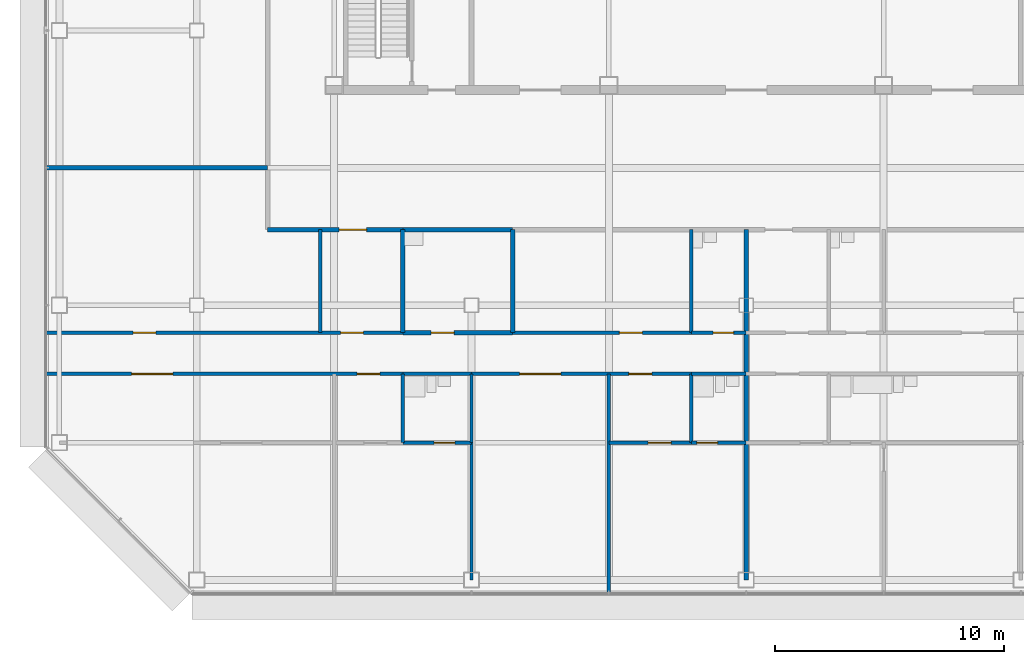
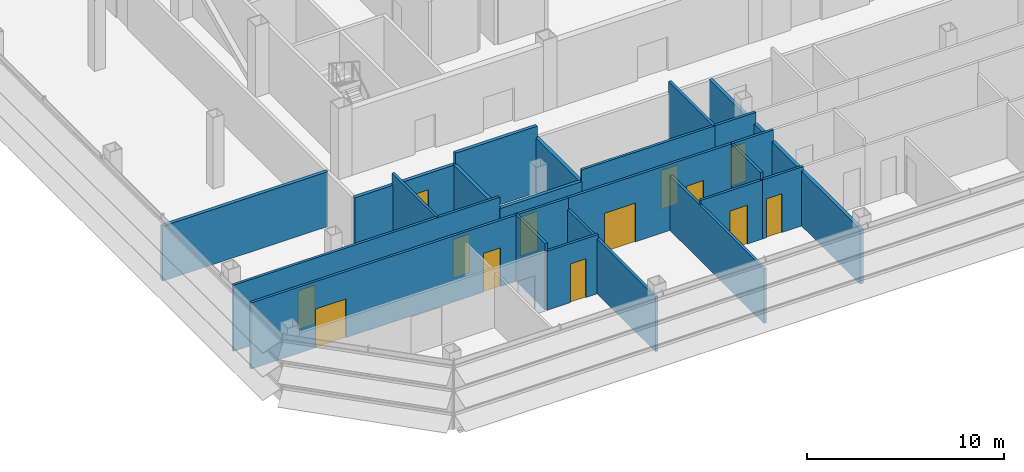
# One storey, part 19 of 26: 24 walls, 13 doors, 13 openings.
"""IFC4 building model written with IfcOpenShell, lengths in metres."""

from ifc_helpers import new_model, si_unit, direction, frame, frame_2d, origin, place, context, subcontext, project, spatial, rectangle, extrude, material, layer, layer_set, type_object, element, fill, save


model = new_model("IFC4")

# Units and contexts
model_context = context("Model", 3, precision=1e-05, world=origin(), true_north=direction((0.0, 1.0)))
body_context = subcontext(model_context, "Body", "Model", "MODEL_VIEW")
ifc_project = project(units=[si_unit("LENGTHUNIT", "METRE"), si_unit("AREAUNIT", "SQUARE_METRE"), si_unit("VOLUMEUNIT", "CUBIC_METRE"), si_unit("PLANEANGLEUNIT", "RADIAN"), si_unit("MASSUNIT", "GRAM", prefix="KILO")], contexts=[model_context])

# Site, building, storey
site_placement = place(None, origin())
site = spatial("IfcSite", under=ifc_project, at=site_placement, CompositionType="ELEMENT")
building_placement = place(site_placement, origin())
building = spatial("IfcBuilding", under=site, at=building_placement, Name="Sorahane Residences", CompositionType="ELEMENT")
storey_placement = place(building_placement, frame((0.0, 0.0, 181.60009765625)))
storey = spatial("IfcBuildingStorey", under=building, at=storey_placement, Name="L42", CompositionType="ELEMENT", Elevation=181.60009765625)

# Wall, opening, door
ifc_material_1 = material(Name="Concrete blockwork C20 wall", Category="masonry")
ifc_layer_1 = layer(ifc_material_1, 0.199951171875)
ifc_layer_set_1 = layer_set([ifc_layer_1], Name="Corridor wall 200 EI 120")
wall_type_1 = type_object("IfcWallType", Name="Corridor wall 200 EI 120", PredefinedType="SOLIDWALL", material=ifc_layer_set_1)
wall_1_placement = place(storey_placement, frame((3.10009765625, 15.300048828125, 0.0), z_axis=(0.0, 0.0, 1.0), x_axis=(1.0, 0.0, 0.0)))
wall_1 = element("IfcWall", 1, at=wall_1_placement, inside=storey, type_object=wall_type_1, Name="L42 corridor wall", PredefinedType="SOLIDWALL", context=body_context, shape_type="SweptSolid", body=[
    extrude(rectangle(XDim=5.89990234375, YDim=0.199951171875, at=frame_2d((2.949951171875, 0.0))), origin(), (0.0, 0.0, 1.0), 3.39990234375),
])
opening_1_placement = place(wall_1_placement, frame((3.1201171875, 0.0, 0.0)))
opening_1 = element("IfcOpeningElement", 2, at=opening_1_placement, cuts=wall_1, Name="Opening L42-28", PredefinedType="OPENING", context=body_context, shape_type="SweptSolid", body=[
    extrude(rectangle(XDim=1.199951171875, YDim=2.39990234375, at=frame_2d((0.60009765625, 1.199951171875))), frame((0.0, 0.10986328125, 0.0), z_axis=(0.0, -1.0, 0.0), x_axis=(1.0, 0.0, 0.0)), (0.0, 0.0, 1.0), 0.219970703125),
])
ifc_material_2 = material(Name="Timber veneered fire door", Category="wood")
door_type_1 = type_object("IfcDoorType", Name="Flat entrance door 1200x2400 FD60", OperationType="NOTDEFINED", PredefinedType="DOOR", material=ifc_material_2)
door_1_placement = place(opening_1_placement, frame((1.199951171875, 0.0, 0.0), z_axis=(0.0, 0.0, 1.0), x_axis=(-1.0, 0.0, 0.0)))
door_1 = element("IfcDoor", 3, at=door_1_placement, inside=storey, type_object=door_type_1, Name="Flat entrance door L42-28", OperationType="SINGLE_SWING_LEFT", OverallHeight=2.39990234375, OverallWidth=1.199951171875, PredefinedType="DOOR", context=body_context, shape_type="SweptSolid", body=[
    extrude(rectangle(XDim=1.199951171875, YDim=2.39990234375, at=frame_2d((0.60009765625, 1.199951171875))), frame((0.0, 0.02490234375, 0.0), z_axis=(0.0, -1.0, 0.0), x_axis=(1.0, 0.0, 0.0)), (0.0, 0.0, 1.0), 0.050048828125),
])
fill(opening_1, door_1)

# Walls
wall_2_placement = place(storey_placement, frame((-6.60009765625, 18.0, 0.0), z_axis=(0.0, 0.0, 1.0), x_axis=(1.0, 0.0, 0.0)))
element("IfcWall", 4, at=wall_2_placement, inside=storey, type_object=wall_type_1, Name="L42 corridor wall", PredefinedType="SOLIDWALL", context=body_context, shape_type="SweptSolid", body=[
    extrude(rectangle(XDim=9.7001953125, YDim=0.199951171875, at=frame_2d((4.85009765625, 0.0))), origin(), (0.0, 0.0, 1.0), 3.39990234375),
])
ifc_material_3 = material(Name="Concrete blockwork C20 wall", Category="masonry")
ifc_layer_2 = layer(ifc_material_3, 0.199951171875)
ifc_layer_set_2 = layer_set([ifc_layer_2], Name="Kitchen wall 200 EI 180")
wall_type_2 = type_object("IfcWallType", Name="Kitchen wall 200 EI 180", PredefinedType="SOLIDWALL", material=ifc_layer_set_2)
for number, where, z_axis, x_axis, name in (
    (5, (13.800048828125, 10.800048828125, 0.0), (0.0, 0.0, 1.0), (0.0, 1.0, 0.0), "L42 kitchen wall"),
    (6, (9.0, 10.800048828125, 0.0), (0.0, 0.0, 1.0), (0.0, 1.0, 0.0), "L42 kitchen wall"),
):
    element("IfcWall", number, at=place(storey_placement, frame(where, z_axis=z_axis, x_axis=x_axis)), inside=storey, type_object=wall_type_2, Name=name, PredefinedType="SOLIDWALL", context=body_context, shape_type="SweptSolid", body=[
        extrude(rectangle(XDim=4.5, YDim=0.199951171875, at=frame_2d((2.25, 0.0))), origin(), (0.0, 0.0, 1.0), 3.39990234375),
    ])

# Wall, opening, door
wall_3_placement = place(storey_placement, frame((9.0, 10.800048828125, 0.0), z_axis=(0.0, 0.0, 1.0), x_axis=(1.0, 0.0, 0.0)))
wall_3 = element("IfcWall", 7, at=wall_3_placement, inside=storey, type_object=wall_type_2, Name="L42 kitchen wall", PredefinedType="SOLIDWALL", context=body_context, shape_type="SweptSolid", body=[
    extrude(rectangle(XDim=4.800048828125, YDim=0.199951171875, at=frame_2d((2.39990234375, 0.0))), origin(), (0.0, 0.0, 1.0), 3.39990234375),
])
opening_2_placement = place(wall_3_placement, frame((1.239990234375, 0.0, 0.0)))
opening_2 = element("IfcOpeningElement", 8, at=opening_2_placement, cuts=wall_3, Name="Opening L42-03", PredefinedType="OPENING", context=body_context, shape_type="SweptSolid", body=[
    extrude(rectangle(XDim=1.0, YDim=2.39990234375, at=frame_2d((0.5, 1.199951171875))), frame((0.0, 0.10986328125, 0.0), z_axis=(0.0, -1.0, 0.0), x_axis=(1.0, 0.0, 0.0)), (0.0, 0.0, 1.0), 0.219970703125),
])
ifc_material_4 = material(Name="Steel", Category="steel")
door_type_2 = type_object("IfcDoorType", Name="Kitchen door 1000x2400 FD120", OperationType="NOTDEFINED", PredefinedType="DOOR", material=ifc_material_4)
door_2_placement = place(opening_2_placement, origin())
door_2 = element("IfcDoor", 9, at=door_2_placement, inside=storey, type_object=door_type_2, Name="Kitchen door L42-03", OperationType="SINGLE_SWING_RIGHT", OverallHeight=2.39990234375, OverallWidth=1.0, PredefinedType="DOOR", context=body_context, shape_type="SweptSolid", body=[
    extrude(rectangle(XDim=1.0, YDim=2.39990234375, at=frame_2d((0.5, 1.199951171875))), frame((0.0, 0.02490234375, 0.0), z_axis=(0.0, -1.0, 0.0), x_axis=(1.0, 0.0, 0.0)), (0.0, 0.0, 1.0), 0.050048828125),
])
fill(opening_2, door_2)

# Walls
wall_4_placement = place(storey_placement, frame((9.0, 15.300048828125, 0.0), z_axis=(0.0, 0.0, 1.0), x_axis=(1.0, 0.0, 0.0)))
element("IfcWall", 10, at=wall_4_placement, inside=storey, type_object=wall_type_2, Name="L42 kitchen wall", PredefinedType="SOLIDWALL", context=body_context, shape_type="SweptSolid", body=[
    extrude(rectangle(XDim=4.800048828125, YDim=0.199951171875, at=frame_2d((2.39990234375, 0.0))), origin(), (0.0, 0.0, 1.0), 4.099853515625),
])
ifc_material_5 = material(Name="Gypsum board partition on steel studs", Category="steel")
ifc_layer_3 = layer(ifc_material_5, 0.14990234375)
ifc_layer_set_3 = layer_set([ifc_layer_3], Name="Partition 150 EI 90")
wall_type_3 = type_object("IfcWallType", Name="Partition 150 EI 90", PredefinedType="PARTITIONING", material=ifc_layer_set_3)
wall_5_placement = place(storey_placement, frame((12.0, 0.0, 0.0), z_axis=(0.0, 0.0, 1.0), x_axis=(0.0, 1.0, 0.0)))
element("IfcWall", 11, at=wall_5_placement, inside=storey, type_object=wall_type_3, Name="L42 partition", PredefinedType="PARTITIONING", context=body_context, shape_type="SweptSolid", body=[
    extrude(rectangle(XDim=6.0, YDim=0.14990234375, at=frame_2d((3.0, 0.0))), origin(), (0.0, 0.0, 1.0), 3.39990234375),
])
wall_6_placement = place(storey_placement, frame((18.0, -0.60009765625, 0.0), z_axis=(0.0, 0.0, 1.0), x_axis=(0.0, 1.0, 0.0)))
element("IfcWall", 12, at=wall_6_placement, inside=storey, type_object=wall_type_3, Name="L42 partition", PredefinedType="PARTITIONING", context=body_context, shape_type="SweptSolid", body=[
    extrude(rectangle(XDim=9.60009765625, YDim=0.14990234375, at=frame_2d((4.800048828125, 0.0))), origin(), (0.0, 0.0, 1.0), 3.39990234375),
])
wall_7_placement = place(storey_placement, frame((5.39990234375, 10.800048828125, 0.0), z_axis=(0.0, 0.0, 1.0), x_axis=(0.0, 1.0, 0.0)))
element("IfcWall", 13, at=wall_7_placement, inside=storey, type_object=wall_type_3, Name="L42 partition", PredefinedType="PARTITIONING", context=body_context, shape_type="SweptSolid", body=[
    extrude(rectangle(XDim=4.5, YDim=0.14990234375, at=frame_2d((2.25, 0.0))), origin(), (0.0, 0.0, 1.0), 4.099853515625),
])

# Wall, openings, doors
wall_8_placement = place(storey_placement, frame((-6.60009765625, 10.800048828125, 0.0), z_axis=(0.0, 0.0, 1.0), x_axis=(1.0, 0.0, 0.0)))
wall_8 = element("IfcWall", 14, at=wall_8_placement, inside=storey, type_object=wall_type_3, Name="L42 partition", PredefinedType="PARTITIONING", context=body_context, shape_type="SweptSolid", body=[
    extrude(rectangle(XDim=15.60009765625, YDim=0.14990234375, at=frame_2d((7.800048828125, 0.0))), origin(), (0.0, 0.0, 1.0), 4.099853515625),
])
opening_3_placement = place(wall_8_placement, frame((12.8798828125, 0.0, 0.0)))
opening_3 = element("IfcOpeningElement", 15, at=opening_3_placement, cuts=wall_8, Name="Opening L42-01", PredefinedType="OPENING", context=body_context, shape_type="SweptSolid", body=[
    extrude(rectangle(XDim=1.0, YDim=2.39990234375, at=frame_2d((0.5, 1.199951171875))), frame((0.0, 0.0849609375, 0.0), z_axis=(0.0, -1.0, 0.0), x_axis=(1.0, 0.0, 0.0)), (0.0, 0.0, 1.0), 0.169921875),
])
opening_4_placement = place(wall_8_placement, frame((3.820068359375, 0.0, 0.0)))
opening_4 = element("IfcOpeningElement", 16, at=opening_4_placement, cuts=wall_8, Name="Opening L42-02", PredefinedType="OPENING", context=body_context, shape_type="SweptSolid", body=[
    extrude(rectangle(XDim=1.0, YDim=2.39990234375, at=frame_2d((0.5, 1.199951171875))), frame((0.0, 0.0849609375, 0.0), z_axis=(0.0, -1.0, 0.0), x_axis=(1.0, 0.0, 0.0)), (0.0, 0.0, 1.0), 0.169921875),
])
ifc_material_6 = material(Name="Timber veneered fire door", Category="wood")
door_type_3 = type_object("IfcDoorType", Name="Room door 1000x2400 FD30", OperationType="NOTDEFINED", PredefinedType="DOOR", material=ifc_material_6)
door_3_placement = place(opening_3_placement, frame((1.0, 0.0, 0.0), z_axis=(0.0, 0.0, 1.0), x_axis=(-1.0, 0.0, 0.0)))
door_3 = element("IfcDoor", 17, at=door_3_placement, inside=storey, type_object=door_type_3, Name="Room door L42-01", OperationType="SINGLE_SWING_LEFT", OverallHeight=2.39990234375, OverallWidth=1.0, PredefinedType="DOOR", context=body_context, shape_type="SweptSolid", body=[
    extrude(rectangle(XDim=1.0, YDim=2.39990234375, at=frame_2d((0.5, 1.199951171875))), frame((0.0, 0.02490234375, 0.0), z_axis=(0.0, -1.0, 0.0), x_axis=(1.0, 0.0, 0.0)), (0.0, 0.0, 1.0), 0.050048828125),
])
fill(opening_3, door_3)
door_4_placement = place(opening_4_placement, origin())
door_4 = element("IfcDoor", 18, at=door_4_placement, inside=storey, type_object=door_type_3, Name="Room door L42-02", OperationType="SINGLE_SWING_LEFT", OverallHeight=2.39990234375, OverallWidth=1.0, PredefinedType="DOOR", context=body_context, shape_type="SweptSolid", body=[
    extrude(rectangle(XDim=1.0, YDim=2.39990234375, at=frame_2d((0.5, 1.199951171875))), frame((0.0, 0.02490234375, 0.0), z_axis=(0.0, -1.0, 0.0), x_axis=(1.0, 0.0, 0.0)), (0.0, 0.0, 1.0), 0.050048828125),
])
fill(opening_4, door_4)

# Wall, opening, door
wall_9_placement = place(storey_placement, frame((13.800048828125, 10.800048828125, 0.0), z_axis=(0.0, 0.0, 1.0), x_axis=(1.0, 0.0, 0.0)))
wall_9 = element("IfcWall", 19, at=wall_9_placement, inside=storey, type_object=wall_type_3, Name="L42 partition", PredefinedType="PARTITIONING", context=body_context, shape_type="SweptSolid", body=[
    extrude(rectangle(XDim=7.800048828125, YDim=0.14990234375, at=frame_2d((3.89990234375, 0.0))), origin(), (0.0, 0.0, 1.0), 4.099853515625),
])
opening_5_placement = place(wall_9_placement, frame((4.659912109375, 0.0, 0.0)))
opening_5 = element("IfcOpeningElement", 20, at=opening_5_placement, cuts=wall_9, Name="Opening L42-04", PredefinedType="OPENING", context=body_context, shape_type="SweptSolid", body=[
    extrude(rectangle(XDim=1.0, YDim=2.39990234375, at=frame_2d((0.5, 1.199951171875))), frame((0.0, 0.0849609375, 0.0), z_axis=(0.0, -1.0, 0.0), x_axis=(1.0, 0.0, 0.0)), (0.0, 0.0, 1.0), 0.169921875),
])
door_5_placement = place(opening_5_placement, origin())
door_5 = element("IfcDoor", 21, at=door_5_placement, inside=storey, type_object=door_type_3, Name="Room door L42-04", OperationType="SINGLE_SWING_RIGHT", OverallHeight=2.39990234375, OverallWidth=1.0, PredefinedType="DOOR", context=body_context, shape_type="SweptSolid", body=[
    extrude(rectangle(XDim=1.0, YDim=2.39990234375, at=frame_2d((0.5, 1.199951171875))), frame((0.0, 0.02490234375, 0.0), z_axis=(0.0, -1.0, 0.0), x_axis=(1.0, 0.0, 0.0)), (0.0, 0.0, 1.0), 0.050048828125),
])
fill(opening_5, door_5)

wall_10_placement = place(storey_placement, frame((18.0, 6.0, 0.0), z_axis=(0.0, 0.0, 1.0), x_axis=(1.0, 0.0, 0.0)))
wall_10 = element("IfcWall", 22, at=wall_10_placement, inside=storey, type_object=wall_type_3, Name="L42 partition", PredefinedType="PARTITIONING", context=body_context, shape_type="SweptSolid", body=[
    extrude(rectangle(XDim=3.60009765625, YDim=0.14990234375, at=frame_2d((1.800048828125, 0.0))), origin(), (0.0, 0.0, 1.0), 3.64990234375),
])
opening_6_placement = place(wall_10_placement, frame((1.719970703125, 0.0, 0.0)))
opening_6 = element("IfcOpeningElement", 23, at=opening_6_placement, cuts=wall_10, Name="Opening L42-13", PredefinedType="OPENING", context=body_context, shape_type="SweptSolid", body=[
    extrude(rectangle(XDim=1.0, YDim=2.39990234375, at=frame_2d((0.5, 1.199951171875))), frame((0.0, 0.0849609375, 0.0), z_axis=(0.0, -1.0, 0.0), x_axis=(1.0, 0.0, 0.0)), (0.0, 0.0, 1.0), 0.169921875),
])
door_6_placement = place(opening_6_placement, frame((1.0, 0.0, 0.0), z_axis=(0.0, 0.0, 1.0), x_axis=(-1.0, 0.0, 0.0)))
door_6 = element("IfcDoor", 24, at=door_6_placement, inside=storey, type_object=door_type_3, Name="Room door L42-13", OperationType="SINGLE_SWING_LEFT", OverallHeight=2.39990234375, OverallWidth=1.0, PredefinedType="DOOR", context=body_context, shape_type="SweptSolid", body=[
    extrude(rectangle(XDim=1.0, YDim=2.39990234375, at=frame_2d((0.5, 1.199951171875))), frame((0.0, 0.02490234375, 0.0), z_axis=(0.0, -1.0, 0.0), x_axis=(1.0, 0.0, 0.0)), (0.0, 0.0, 1.0), 0.050048828125),
])
fill(opening_6, door_6)

# Wall, openings, doors
wall_11_placement = place(storey_placement, frame((-6.60009765625, 9.0, 0.0), z_axis=(0.0, 0.0, 1.0), x_axis=(1.0, 0.0, 0.0)))
wall_11 = element("IfcWall", 25, at=wall_11_placement, inside=storey, type_object=wall_type_3, Name="L42 partition", PredefinedType="PARTITIONING", context=body_context, shape_type="SweptSolid", body=[
    extrude(rectangle(XDim=15.60009765625, YDim=0.14990234375, at=frame_2d((7.800048828125, 0.0))), origin(), (0.0, 0.0, 1.0), 4.099853515625),
])
opening_7_placement = place(wall_11_placement, frame((3.760009765625, 0.0, 0.0)))
opening_7 = element("IfcOpeningElement", 26, at=opening_7_placement, cuts=wall_11, Name="Opening L42-06", PredefinedType="OPENING", context=body_context, shape_type="SweptSolid", body=[
    extrude(rectangle(XDim=1.800048828125, YDim=2.39990234375, at=frame_2d((0.89990234375, 1.199951171875))), frame((0.0, 0.0849609375, 0.0), z_axis=(0.0, -1.0, 0.0), x_axis=(1.0, 0.0, 0.0)), (0.0, 0.0, 1.0), 0.169921875),
])
opening_8_placement = place(wall_11_placement, frame((13.60009765625, 0.0, 0.0)))
opening_8 = element("IfcOpeningElement", 27, at=opening_8_placement, cuts=wall_11, Name="Opening L42-07", PredefinedType="OPENING", context=body_context, shape_type="SweptSolid", body=[
    extrude(rectangle(XDim=1.0, YDim=2.39990234375, at=frame_2d((0.5, 1.199951171875))), frame((0.0, 0.0849609375, 0.0), z_axis=(0.0, -1.0, 0.0), x_axis=(1.0, 0.0, 0.0)), (0.0, 0.0, 1.0), 0.169921875),
])
ifc_material_7 = material(Name="Timber veneered fire door", Category="wood")
door_type_4 = type_object("IfcDoorType", Name="Double door 1800x2400 FD30", OperationType="NOTDEFINED", PredefinedType="DOOR", material=ifc_material_7)
door_7_placement = place(opening_7_placement, frame((1.800048828125, 0.0, 0.0), z_axis=(0.0, 0.0, 1.0), x_axis=(-1.0, 0.0, 0.0)))
door_7 = element("IfcDoor", 28, at=door_7_placement, inside=storey, type_object=door_type_4, Name="Double door L42-06", OperationType="SINGLE_SWING_RIGHT", OverallHeight=2.39990234375, OverallWidth=1.800048828125, PredefinedType="DOOR", context=body_context, shape_type="SweptSolid", body=[
    extrude(rectangle(XDim=1.800048828125, YDim=2.39990234375, at=frame_2d((0.89990234375, 1.199951171875))), frame((0.0, 0.02490234375, 0.0), z_axis=(0.0, -1.0, 0.0), x_axis=(1.0, 0.0, 0.0)), (0.0, 0.0, 1.0), 0.050048828125),
])
fill(opening_7, door_7)
door_8_placement = place(opening_8_placement, frame((1.0, 0.0, 0.0), z_axis=(0.0, 0.0, 1.0), x_axis=(-1.0, 0.0, 0.0)))
door_8 = element("IfcDoor", 29, at=door_8_placement, inside=storey, type_object=door_type_3, Name="Room door L42-07", OperationType="SINGLE_SWING_LEFT", OverallHeight=2.39990234375, OverallWidth=1.0, PredefinedType="DOOR", context=body_context, shape_type="SweptSolid", body=[
    extrude(rectangle(XDim=1.0, YDim=2.39990234375, at=frame_2d((0.5, 1.199951171875))), frame((0.0, 0.02490234375, 0.0), z_axis=(0.0, -1.0, 0.0), x_axis=(1.0, 0.0, 0.0)), (0.0, 0.0, 1.0), 0.050048828125),
])
fill(opening_8, door_8)

wall_12_placement = place(storey_placement, frame((12.0, 9.0, 0.0), z_axis=(0.0, 0.0, 1.0), x_axis=(1.0, 0.0, 0.0)))
wall_12 = element("IfcWall", 30, at=wall_12_placement, inside=storey, type_object=wall_type_3, Name="L42 partition", PredefinedType="PARTITIONING", context=body_context, shape_type="SweptSolid", body=[
    extrude(rectangle(XDim=9.60009765625, YDim=0.14990234375, at=frame_2d((4.800048828125, 0.0))), origin(), (0.0, 0.0, 1.0), 4.099853515625),
])
opening_9_placement = place(wall_12_placement, frame((2.10009765625, 0.0, 0.0)))
opening_9 = element("IfcOpeningElement", 31, at=opening_9_placement, cuts=wall_12, Name="Opening L42-08", PredefinedType="OPENING", context=body_context, shape_type="SweptSolid", body=[
    extrude(rectangle(XDim=1.800048828125, YDim=2.39990234375, at=frame_2d((0.89990234375, 1.199951171875))), frame((0.0, 0.0849609375, 0.0), z_axis=(0.0, -1.0, 0.0), x_axis=(1.0, 0.0, 0.0)), (0.0, 0.0, 1.0), 0.169921875),
])
opening_10_placement = place(wall_12_placement, frame((6.8798828125, 0.0, 0.0)))
opening_10 = element("IfcOpeningElement", 32, at=opening_10_placement, cuts=wall_12, Name="Opening L42-09", PredefinedType="OPENING", context=body_context, shape_type="SweptSolid", body=[
    extrude(rectangle(XDim=1.0, YDim=2.39990234375, at=frame_2d((0.5, 1.199951171875))), frame((0.0, 0.0849609375, 0.0), z_axis=(0.0, -1.0, 0.0), x_axis=(1.0, 0.0, 0.0)), (0.0, 0.0, 1.0), 0.169921875),
])
door_9_placement = place(opening_9_placement, frame((1.800048828125, 0.0, 0.0), z_axis=(0.0, 0.0, 1.0), x_axis=(-1.0, 0.0, 0.0)))
door_9 = element("IfcDoor", 33, at=door_9_placement, inside=storey, type_object=door_type_4, Name="Double door L42-08", OperationType="SINGLE_SWING_LEFT", OverallHeight=2.39990234375, OverallWidth=1.800048828125, PredefinedType="DOOR", context=body_context, shape_type="SweptSolid", body=[
    extrude(rectangle(XDim=1.800048828125, YDim=2.39990234375, at=frame_2d((0.89990234375, 1.199951171875))), frame((0.0, 0.02490234375, 0.0), z_axis=(0.0, -1.0, 0.0), x_axis=(1.0, 0.0, 0.0)), (0.0, 0.0, 1.0), 0.050048828125),
])
fill(opening_9, door_9)
door_10_placement = place(opening_10_placement, frame((1.0, 0.0, 0.0), z_axis=(0.0, 0.0, 1.0), x_axis=(-1.0, 0.0, 0.0)))
door_10 = element("IfcDoor", 34, at=door_10_placement, inside=storey, type_object=door_type_3, Name="Room door L42-09", OperationType="SINGLE_SWING_RIGHT", OverallHeight=2.39990234375, OverallWidth=1.0, PredefinedType="DOOR", context=body_context, shape_type="SweptSolid", body=[
    extrude(rectangle(XDim=1.0, YDim=2.39990234375, at=frame_2d((0.5, 1.199951171875))), frame((0.0, 0.02490234375, 0.0), z_axis=(0.0, -1.0, 0.0), x_axis=(1.0, 0.0, 0.0)), (0.0, 0.0, 1.0), 0.050048828125),
])
fill(opening_10, door_10)

# Walls
ifc_material_8 = material(Name="Concrete blockwork C20 wall", Category="masonry")
ifc_layer_4 = layer(ifc_material_8, 0.199951171875)
ifc_layer_set_4 = layer_set([ifc_layer_4], Name="Party wall 200 EI 120")
wall_type_4 = type_object("IfcWallType", Name="Party wall 200 EI 120", PredefinedType="SOLIDWALL", material=ifc_layer_set_4)
wall_13_placement = place(storey_placement, frame((24.0, 0.0, 0.0), z_axis=(0.0, 0.0, 1.0), x_axis=(0.0, 1.0, 0.0)))
element("IfcWall", 35, at=wall_13_placement, inside=storey, type_object=wall_type_4, Name="L42 party wall", PredefinedType="SOLIDWALL", context=body_context, shape_type="SweptSolid", body=[
    extrude(rectangle(XDim=15.300048828125, YDim=0.199951171875, at=frame_2d((7.64990234375, 0.0))), origin(), (0.0, 0.0, 1.0), 3.39990234375),
])
ifc_material_9 = material(Name="Gypsum board partition on steel studs", Category="steel")
ifc_layer_5 = layer(ifc_material_9, 0.14990234375)
ifc_layer_set_5 = layer_set([ifc_layer_5], Name="Wet wall 150 EI 90")
wall_type_5 = type_object("IfcWallType", Name="Wet wall 150 EI 90", PredefinedType="PARTITIONING", material=ifc_layer_set_5)
wall_14_placement = place(storey_placement, frame((12.0, 6.0, 0.0), z_axis=(0.0, 0.0, 1.0), x_axis=(0.0, 1.0, 0.0)))
element("IfcWall", 36, at=wall_14_placement, inside=storey, type_object=wall_type_5, Name="L42 wet wall", PredefinedType="PARTITIONING", context=body_context, shape_type="SweptSolid", body=[
    extrude(rectangle(XDim=3.0, YDim=0.14990234375, at=frame_2d((1.5, 0.0))), origin(), (0.0, 0.0, 1.0), 3.39990234375),
])
wall_15_placement = place(storey_placement, frame((21.60009765625, 6.0, 0.0), z_axis=(0.0, 0.0, 1.0), x_axis=(0.0, 1.0, 0.0)))
element("IfcWall", 37, at=wall_15_placement, inside=storey, type_object=wall_type_5, Name="L42 wet wall", PredefinedType="PARTITIONING", context=body_context, shape_type="SweptSolid", body=[
    extrude(rectangle(XDim=3.0, YDim=0.14990234375, at=frame_2d((1.5, 0.0))), origin(), (0.0, 0.0, 1.0), 4.099853515625),
])
wall_16_placement = place(storey_placement, frame((21.60009765625, 10.800048828125, 0.0), z_axis=(0.0, 0.0, 1.0), x_axis=(0.0, 1.0, 0.0)))
element("IfcWall", 38, at=wall_16_placement, inside=storey, type_object=wall_type_5, Name="L42 wet wall", PredefinedType="PARTITIONING", context=body_context, shape_type="SweptSolid", body=[
    extrude(rectangle(XDim=4.5, YDim=0.14990234375, at=frame_2d((2.25, 0.0))), origin(), (0.0, 0.0, 1.0), 4.099853515625),
])
wall_17_placement = place(storey_placement, frame((9.0, 6.0, 0.0), z_axis=(0.0, 0.0, 1.0), x_axis=(0.0, 1.0, 0.0)))
element("IfcWall", 39, at=wall_17_placement, inside=storey, type_object=wall_type_5, Name="L42 wet wall", PredefinedType="PARTITIONING", context=body_context, shape_type="SweptSolid", body=[
    extrude(rectangle(XDim=3.0, YDim=0.14990234375, at=frame_2d((1.5, 0.0))), origin(), (0.0, 0.0, 1.0), 4.099853515625),
])

# Wall, opening, door
wall_18_placement = place(storey_placement, frame((21.60009765625, 10.800048828125, 0.0), z_axis=(0.0, 0.0, 1.0), x_axis=(1.0, 0.0, 0.0)))
wall_18 = element("IfcWall", 40, at=wall_18_placement, inside=storey, type_object=wall_type_5, Name="L42 wet wall", PredefinedType="PARTITIONING", context=body_context, shape_type="SweptSolid", body=[
    extrude(rectangle(XDim=2.39990234375, YDim=0.14990234375, at=frame_2d((1.199951171875, 0.0))), origin(), (0.0, 0.0, 1.0), 4.099853515625),
])
opening_11_placement = place(wall_18_placement, frame((0.949951171875, 0.0, 0.0)))
opening_11 = element("IfcOpeningElement", 41, at=opening_11_placement, cuts=wall_18, Name="Opening L42-05", PredefinedType="OPENING", context=body_context, shape_type="SweptSolid", body=[
    extrude(rectangle(XDim=0.89990234375, YDim=2.39990234375, at=frame_2d((0.449951171875, 1.199951171875))), frame((0.0, 0.0849609375, 0.0), z_axis=(0.0, -1.0, 0.0), x_axis=(1.0, 0.0, 0.0)), (0.0, 0.0, 1.0), 0.169921875),
])
ifc_material_10 = material(Name="Timber veneered fire door", Category="wood")
door_type_5 = type_object("IfcDoorType", Name="Bathroom door 900x2400 FD30", OperationType="NOTDEFINED", PredefinedType="DOOR", material=ifc_material_10)
door_11_placement = place(opening_11_placement, frame((0.89990234375, 0.0, 0.0), z_axis=(0.0, 0.0, 1.0), x_axis=(-1.0, 0.0, 0.0)))
door_11 = element("IfcDoor", 42, at=door_11_placement, inside=storey, type_object=door_type_5, Name="Bathroom door L42-05", OperationType="SINGLE_SWING_RIGHT", OverallHeight=2.39990234375, OverallWidth=0.89990234375, PredefinedType="DOOR", context=body_context, shape_type="SweptSolid", body=[
    extrude(rectangle(XDim=0.89990234375, YDim=2.39990234375, at=frame_2d((0.449951171875, 1.199951171875))), frame((0.0, 0.02490234375, 0.0), z_axis=(0.0, -1.0, 0.0), x_axis=(1.0, 0.0, 0.0)), (0.0, 0.0, 1.0), 0.050048828125),
])
fill(opening_11, door_11)

wall_19_placement = place(storey_placement, frame((9.0, 6.0, 0.0), z_axis=(0.0, 0.0, 1.0), x_axis=(1.0, 0.0, 0.0)))
wall_19 = element("IfcWall", 43, at=wall_19_placement, inside=storey, type_object=wall_type_5, Name="L42 wet wall", PredefinedType="PARTITIONING", context=body_context, shape_type="SweptSolid", body=[
    extrude(rectangle(XDim=3.0, YDim=0.14990234375, at=frame_2d((1.5, 0.0))), origin(), (0.0, 0.0, 1.0), 3.64990234375),
])
opening_12_placement = place(wall_19_placement, frame((1.3701171875, 0.0, 0.0)))
opening_12 = element("IfcOpeningElement", 44, at=opening_12_placement, cuts=wall_19, Name="Opening L42-12", PredefinedType="OPENING", context=body_context, shape_type="SweptSolid", body=[
    extrude(rectangle(XDim=0.89990234375, YDim=2.39990234375, at=frame_2d((0.449951171875, 1.199951171875))), frame((0.0, 0.0849609375, 0.0), z_axis=(0.0, -1.0, 0.0), x_axis=(1.0, 0.0, 0.0)), (0.0, 0.0, 1.0), 0.169921875),
])
door_12_placement = place(opening_12_placement, frame((0.89990234375, 0.0, 0.0), z_axis=(0.0, 0.0, 1.0), x_axis=(-1.0, 0.0, 0.0)))
door_12 = element("IfcDoor", 45, at=door_12_placement, inside=storey, type_object=door_type_5, Name="Bathroom door L42-12", OperationType="SINGLE_SWING_RIGHT", OverallHeight=2.39990234375, OverallWidth=0.89990234375, PredefinedType="DOOR", context=body_context, shape_type="SweptSolid", body=[
    extrude(rectangle(XDim=0.89990234375, YDim=2.39990234375, at=frame_2d((0.449951171875, 1.199951171875))), frame((0.0, 0.02490234375, 0.0), z_axis=(0.0, -1.0, 0.0), x_axis=(1.0, 0.0, 0.0)), (0.0, 0.0, 1.0), 0.050048828125),
])
fill(opening_12, door_12)

wall_20_placement = place(storey_placement, frame((21.60009765625, 6.0, 0.0), z_axis=(0.0, 0.0, 1.0), x_axis=(1.0, 0.0, 0.0)))
wall_20 = element("IfcWall", 46, at=wall_20_placement, inside=storey, type_object=wall_type_5, Name="L42 wet wall", PredefinedType="PARTITIONING", context=body_context, shape_type="SweptSolid", body=[
    extrude(rectangle(XDim=2.39990234375, YDim=0.14990234375, at=frame_2d((1.199951171875, 0.0))), origin(), (0.0, 0.0, 1.0), 3.64990234375),
])
opening_13_placement = place(wall_20_placement, frame((0.25, 0.0, 0.0)))
opening_13 = element("IfcOpeningElement", 47, at=opening_13_placement, cuts=wall_20, Name="Opening L42-14", PredefinedType="OPENING", context=body_context, shape_type="SweptSolid", body=[
    extrude(rectangle(XDim=0.89990234375, YDim=2.39990234375, at=frame_2d((0.449951171875, 1.199951171875))), frame((0.0, 0.0849609375, 0.0), z_axis=(0.0, -1.0, 0.0), x_axis=(1.0, 0.0, 0.0)), (0.0, 0.0, 1.0), 0.169921875),
])
door_13_placement = place(opening_13_placement, frame((0.89990234375, 0.0, 0.0), z_axis=(0.0, 0.0, 1.0), x_axis=(-1.0, 0.0, 0.0)))
door_13 = element("IfcDoor", 48, at=door_13_placement, inside=storey, type_object=door_type_5, Name="Bathroom door L42-14", OperationType="SINGLE_SWING_RIGHT", OverallHeight=2.39990234375, OverallWidth=0.89990234375, PredefinedType="DOOR", context=body_context, shape_type="SweptSolid", body=[
    extrude(rectangle(XDim=0.89990234375, YDim=2.39990234375, at=frame_2d((0.449951171875, 1.199951171875))), frame((0.0, 0.02490234375, 0.0), z_axis=(0.0, -1.0, 0.0), x_axis=(1.0, 0.0, 0.0)), (0.0, 0.0, 1.0), 0.050048828125),
])
fill(opening_13, door_13)

# Walls
wall_21_placement = place(storey_placement, frame((9.0, 9.0, 0.0), z_axis=(0.0, 0.0, 1.0), x_axis=(1.0, 0.0, 0.0)))
element("IfcWall", 49, at=wall_21_placement, inside=storey, type_object=wall_type_5, Name="L42 wet wall", PredefinedType="PARTITIONING", context=body_context, shape_type="SweptSolid", body=[
    extrude(rectangle(XDim=3.0, YDim=0.14990234375, at=frame_2d((1.5, 0.0))), origin(), (0.0, 0.0, 1.0), 4.099853515625),
])
wall_22_placement = place(storey_placement, frame((21.60009765625, 9.0, 0.0), z_axis=(0.0, 0.0, 1.0), x_axis=(1.0, 0.0, 0.0)))
element("IfcWall", 50, at=wall_22_placement, inside=storey, type_object=wall_type_5, Name="L42 wet wall", PredefinedType="PARTITIONING", context=body_context, shape_type="SweptSolid", body=[
    extrude(rectangle(XDim=2.39990234375, YDim=0.14990234375, at=frame_2d((1.199951171875, 0.0))), origin(), (0.0, 0.0, 1.0), 4.099853515625),
])

save(model, "model.ifc")
